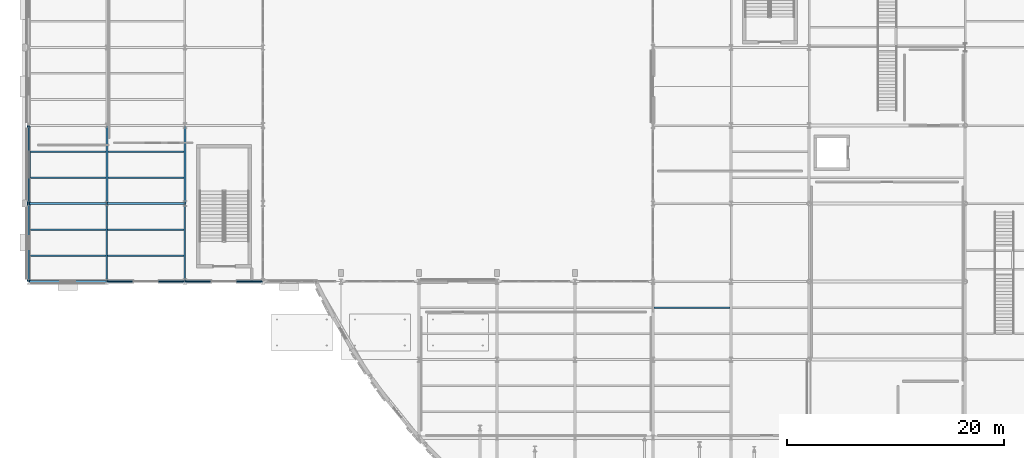
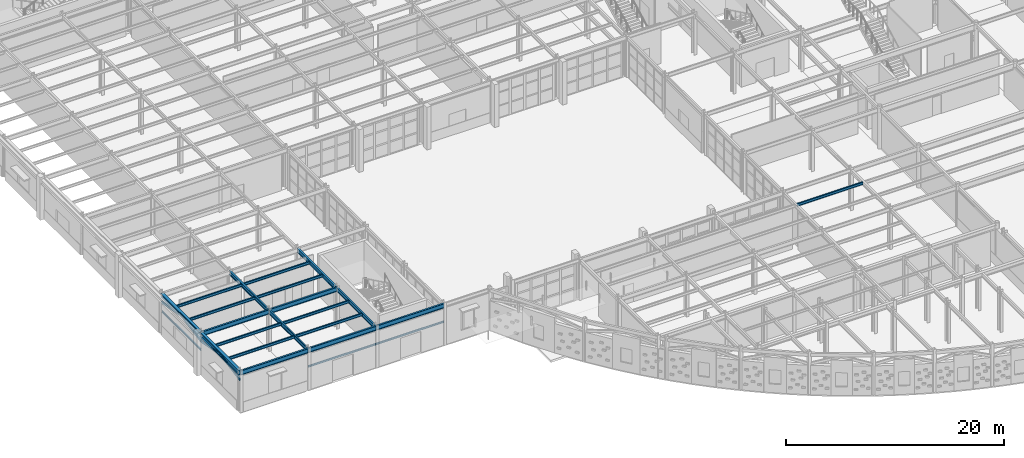
# One storey, part 18 of 83: 23 beams, 4 members.
"""IFC4 building model written with IfcOpenShell, lengths in metres."""

import ifcopenshell
import ifcopenshell.guid

model = None  # the IFC model being written
_history = None  # IfcOwnerHistory: only IFC2X3 demands one
_inside = {}  # id of a spatial element -> (the spatial element, [elements in it])
_under = {}  # id of a project, library or spatial element -> (it, [spatial elements below it])
_declared = {}  # id of a project -> (the project, [libraries it declares])
_typed = {}  # id of a type object -> (the type object, [elements of that type])
_made_of = {}  # id of a material, layer set ... -> (it, [elements and type objects made of it])


def new_model(schema):
    """Start an empty IFC model of exactly this schema.

    Asked for "IFC4X3", IfcOpenShell would pick the latest addendum, in which some entities
    have other attributes; the version numbers below select the first issue.
    IFC2X3 requires an IfcOwnerHistory on every rooted entity: one is made here for all.
    """
    global model, _history
    if schema == "IFC4X3":
        model = ifcopenshell.file(schema_version=(4, 3, 0, 0))
    else:
        model = ifcopenshell.file(schema=schema)
    _inside.clear()
    _under.clear()
    _declared.clear()
    _typed.clear()
    _made_of.clear()
    _history = None
    if model.schema == "IFC2X3":
        org = make("IfcOrganization", Name="unknown")
        user = make(
            "IfcPersonAndOrganization",
            ThePerson=make("IfcPerson", FamilyName="unknown"),
            TheOrganization=org,
        )
        app = make(
            "IfcApplication",
            ApplicationDeveloper=org,
            Version="unknown",
            ApplicationFullName="unknown",
            ApplicationIdentifier="unknown",
        )
        _history = make(
            "IfcOwnerHistory",
            OwningUser=user,
            OwningApplication=app,
            ChangeAction="ADDED",
            CreationDate=0,
        )
    return model


def make(cls, **values):
    """One entity of the class cls with the attributes given. An attribute that is None is left unset."""
    return model.create_entity(
        cls, **{name: value for name, value in values.items() if value is not None}
    )


def rooted(cls, **values):
    """An entity with a GlobalId (a new one), such as an element, a storey or a relation."""
    return make(cls, GlobalId=ifcopenshell.guid.new(), OwnerHistory=_history, **values)


def si_unit(unit_type, name, prefix=None):
    """IfcSIUnit, for example si_unit("LENGTHUNIT", "METRE", prefix="MILLI")."""
    return make("IfcSIUnit", UnitType=unit_type, Prefix=prefix, Name=name)


def assignment(units):
    """IfcUnitAssignment: the units of a project."""
    return None if units is None else make("IfcUnitAssignment", Units=units)


def point(xyz):
    """IfcCartesianPoint."""
    return None if xyz is None else make("IfcCartesianPoint", Coordinates=xyz)


def direction(xyz):
    """IfcDirection."""
    return None if xyz is None else make("IfcDirection", DirectionRatios=xyz)


def frame(location, z_axis=None, x_axis=None):
    """IfcAxis2Placement3D, a coordinate frame: its origin and axes. An axis left out is left unset."""
    return make(
        "IfcAxis2Placement3D",
        Location=point(location),
        Axis=direction(z_axis),
        RefDirection=direction(x_axis),
    )


def frame_2d(location, x_axis=None):
    """IfcAxis2Placement2D, a coordinate frame in the plane: its origin and x axis."""
    return make(
        "IfcAxis2Placement2D", Location=point(location), RefDirection=direction(x_axis)
    )


def origin():
    """The frame at (0, 0, 0) with its axes left unset."""
    return frame((0.0, 0.0, 0.0))


def origin_2d():
    """The frame at (0, 0) in the plane with its x axis left unset."""
    return frame_2d((0.0, 0.0))


def place(relative_to, where):
    """IfcLocalPlacement: puts the frame where relative to a parent placement (None: the world)."""
    return make(
        "IfcLocalPlacement", PlacementRelTo=relative_to, RelativePlacement=where
    )


def context(
    kind, dimensions, precision=None, world=None, true_north=None, identifier=None
):
    """IfcGeometricRepresentationContext, for example the 3D "Model" context."""
    return make(
        "IfcGeometricRepresentationContext",
        ContextIdentifier=identifier,
        ContextType=kind,
        CoordinateSpaceDimension=dimensions,
        Precision=precision,
        WorldCoordinateSystem=world,
        TrueNorth=true_north,
    )


def subcontext(parent, identifier, kind, view, scale=None):
    """IfcGeometricRepresentationSubContext, for example "Body" below "Model"."""
    return make(
        "IfcGeometricRepresentationSubContext",
        ContextIdentifier=identifier,
        ContextType=kind,
        ParentContext=parent,
        TargetScale=scale,
        TargetView=view,
    )


def project(units=None, contexts=None):
    """IfcProject with its units and contexts."""
    return rooted(
        "IfcProject",
        Name="project",
        RepresentationContexts=contexts,
        UnitsInContext=assignment(units),
    )


def spatial(cls, under=None, at=None, **own):
    """A site, building, storey or space (cls), placed at a placement, below another one or the project."""
    s = rooted(cls, ObjectPlacement=at, **own)
    if under is not None:
        _under.setdefault(under.id(), (under, []))[1].append(s)
    return s


def profile(cls, at=None, kind="AREA", **sizes):
    """A parametric profile (cls). Its sizes go by their IFC names, for example OverallWidth=200.0."""
    return make(cls, ProfileType=kind, Position=at, **sizes)


def hollow_rectangle(**sizes):
    """IfcRectangleHollowProfileDef."""
    return profile("IfcRectangleHollowProfileDef", **sizes)


def i_section(**sizes):
    """IfcIShapeProfileDef."""
    return profile("IfcIShapeProfileDef", **sizes)


def extrude(swept, where, along, depth):
    """IfcExtrudedAreaSolid: the profile swept, set in the frame where, extruded along a direction by depth."""
    return make(
        "IfcExtrudedAreaSolid",
        SweptArea=swept,
        Position=where,
        ExtrudedDirection=direction(along),
        Depth=depth,
    )


def shape(context_of_items, identifier, shape_type, items):
    """IfcShapeRepresentation: the items that make up one representation, for example the "Body"."""
    return make(
        "IfcShapeRepresentation",
        ContextOfItems=context_of_items,
        RepresentationIdentifier=identifier,
        RepresentationType=shape_type,
        Items=items,
    )


def material(Name=None, Category=None):
    """IfcMaterial."""
    return make("IfcMaterial", Name=Name, Category=Category)


def material_profile(
    of_material, cross_section, Name=None, Category=None, Priority=None
):
    """IfcMaterialProfile: a cross section and its material."""
    return make(
        "IfcMaterialProfile",
        Name=Name,
        Material=of_material,
        Profile=cross_section,
        Priority=Priority,
        Category=Category,
    )


def profile_set(profiles, Name=None, composite=None):
    """IfcMaterialProfileSet."""
    return make(
        "IfcMaterialProfileSet",
        Name=Name,
        MaterialProfiles=profiles,
        CompositeProfile=composite,
    )


def made_of(thing, what):
    """Note that an element or type object is made of a material, layer set ...; save() writes the relation."""
    if what is not None:
        _made_of.setdefault(what.id(), (what, []))[1].append(thing)
    return thing


def type_object(cls, material=None, **own):
    """A type object (cls), such as IfcWallType, which elements share."""
    return made_of(rooted(cls, **own), material)


def element(
    cls,
    number,
    at=None,
    inside=None,
    cuts=None,
    type_object=None,
    material=None,
    context=None,
    identifier="Body",
    shape_type=None,
    held_by="IfcProductDefinitionShape",
    body=None,
    shapes=None,
    **own,
):
    """One element of the class cls, such as IfcWall. Its Tag is "e" and its number.

    at: its placement. inside: the storey or other place that contains it. cuts: it is an
    opening in that element (IfcRelVoidsElement). A single representation is given by context,
    identifier, shape_type and body (its items); several are given by shapes. held_by: the class
    of the entity that holds the representations. save() writes the other relations.
    """
    e = rooted(cls, Tag="e%d" % number, ObjectPlacement=at, **own)
    if body is not None:
        shapes = [shape(context, identifier, shape_type, body)]
    if shapes is not None:
        e.Representation = make(held_by, Representations=shapes)
    if inside is not None:
        _inside.setdefault(inside.id(), (inside, []))[1].append(e)
    if cuts is not None:
        rooted(
            "IfcRelVoidsElement", RelatingBuildingElement=cuts, RelatedOpeningElement=e
        )
    if type_object is not None:
        _typed.setdefault(type_object.id(), (type_object, []))[1].append(e)
    return made_of(e, material)


def aggregate(whole, parts):
    """IfcRelAggregates: a whole, such as a stair, and the parts it consists of."""
    return rooted("IfcRelAggregates", RelatingObject=whole, RelatedObjects=parts)


def save(model, path):
    """Write the relations noted so far, then the file.

    IfcRelAggregates (storeys below a building ...), IfcRelContainedInSpatialStructure (elements
    in a storey), IfcRelDefinesByType, IfcRelAssociatesMaterial and IfcRelDeclares: one each for
    every whole, place, type object, material and project.
    """
    for whole, parts in _under.values():
        aggregate(whole, parts)
    for where, things in _inside.values():
        rooted(
            "IfcRelContainedInSpatialStructure",
            RelatedElements=things,
            RelatingStructure=where,
        )
    for kind, things in _typed.values():
        rooted("IfcRelDefinesByType", RelatedObjects=things, RelatingType=kind)
    for what, things in _made_of.values():
        rooted("IfcRelAssociatesMaterial", RelatedObjects=things, RelatingMaterial=what)
    for by, libraries in _declared.values():
        rooted("IfcRelDeclares", RelatingContext=by, RelatedDefinitions=libraries)
    model.write(path)


model = new_model("IFC4")

# Units and contexts
model_context = context("Model", 3, precision=1e-05, world=origin(), true_north=direction((0.0, 1.0)))
body_context = subcontext(model_context, "Body", "Model", "MODEL_VIEW")
ifc_project = project(units=[si_unit("LENGTHUNIT", "METRE"), si_unit("AREAUNIT", "SQUARE_METRE"), si_unit("VOLUMEUNIT", "CUBIC_METRE"), si_unit("PLANEANGLEUNIT", "RADIAN"), si_unit("MASSUNIT", "GRAM", prefix="KILO")], contexts=[model_context])

# Site, building, storey
site_placement = place(None, origin())
site = spatial("IfcSite", under=ifc_project, at=site_placement, CompositionType="ELEMENT")
building_placement = place(site_placement, origin())
building = spatial("IfcBuilding", under=site, at=building_placement, Name="Solvadek Multi-Sports Hall", CompositionType="ELEMENT")
storey_placement = place(building_placement, origin())
storey = spatial("IfcBuildingStorey", under=building, at=storey_placement, Name="L00", CompositionType="ELEMENT", Elevation=0.0)

# Members
ifc_material_1 = material(Name="Steel E350 (350 MPa)", Category="steel")
ifc_material_profile_1 = material_profile(ifc_material_1, hollow_rectangle(XDim=0.14990234375, YDim=0.25, WallThickness=0.010009765625, at=origin_2d()), Name="RHS 250x150x10")
ifc_profile_set_1 = profile_set([ifc_material_profile_1], Name="Steel E350 (350 MPa)")
member_type = type_object("IfcMemberType", Name="STR-ARC-RHS250", PredefinedType="USERDEFINED", material=ifc_profile_set_1)
for number, where, z_axis, x_axis, name in (
    (1, (0.0, 20.39990234375, 3.550048828125), (0.0, 0.983123357379, 0.182943882588), (-1.0, 0.0, 0.0), "L00 West Facade Pointed Ottoman Arch 1L"),
    (2, (0.0, 24.0, 4.219970703125), (0.0, 0.983123357379, -0.182943882588), (-1.0, 0.0, 0.0), "L00 West Facade Pointed Ottoman Arch 1R"),
):
    element("IfcMember", number, at=place(storey_placement, frame(where, z_axis=z_axis, x_axis=x_axis)), inside=storey, type_object=member_type, Name=name, ObjectType="ARCH_SEGMENT", PredefinedType="USERDEFINED", context=body_context, shape_type="SweptSolid", body=[
        extrude(hollow_rectangle(XDim=0.14990234375, YDim=0.25, WallThickness=0.010009765625, at=origin_2d()), origin(), (0.0, 0.0, 1.0), 3.661865234375),
    ])
member_1_placement = place(storey_placement, frame((0.0, 27.60009765625, 3.550048828125), z_axis=(0.0, 0.9831211258, 0.182955874479), x_axis=(-1.0, 0.0, 0.0)))
element("IfcMember", 3, at=member_1_placement, inside=storey, type_object=member_type, Name="L00 West Facade Pointed Ottoman Arch 2L", ObjectType="ARCH_SEGMENT", PredefinedType="USERDEFINED", context=body_context, shape_type="SweptSolid", body=[
    extrude(hollow_rectangle(XDim=0.14990234375, YDim=0.25, WallThickness=0.010009765625, at=origin_2d()), origin(), (0.0, 0.0, 1.0), 3.66162109375),
])
member_2_placement = place(storey_placement, frame((0.0, 31.199951171875, 4.219970703125), z_axis=(0.0, 0.983123357379, -0.182943882588), x_axis=(-1.0, 0.0, 0.0)))
element("IfcMember", 4, at=member_2_placement, inside=storey, type_object=member_type, Name="L00 West Facade Pointed Ottoman Arch 2R", ObjectType="ARCH_SEGMENT", PredefinedType="USERDEFINED", context=body_context, shape_type="SweptSolid", body=[
    extrude(hollow_rectangle(XDim=0.14990234375, YDim=0.25, WallThickness=0.010009765625, at=origin_2d()), origin(), (0.0, 0.0, 1.0), 3.661865234375),
])

# Beams
ifc_material_profile_2 = material_profile(ifc_material_1, i_section(OverallWidth=0.14990234375, OverallDepth=0.449951171875, WebThickness=0.009521484375, FlangeThickness=0.017333984375, at=origin_2d()), Name="ISMB 450")
ifc_profile_set_2 = profile_set([ifc_material_profile_2], Name="Steel E350 (350 MPa)")
beam_type_1 = type_object("IfcBeamType", Name="STR-BM-ISMB450", PredefinedType="BEAM", material=ifc_profile_set_2)
for number, where, z_axis, x_axis, name in (
    (5, (7.199951171875, 20.39990234375, 4.35498046875), (0.0, 1.0, 0.0), (-1.0, 0.0, 0.0), "L00 Girder B-09 #740"),
    (6, (14.39990234375, 20.39990234375, 4.35498046875), (0.0, 1.0, 0.0), (-1.0, 0.0, 0.0), "L00 Girder B-09 #752"),
):
    element("IfcBeam", number, at=place(storey_placement, frame(where, z_axis=z_axis, x_axis=x_axis)), inside=storey, type_object=beam_type_1, Name=name, PredefinedType="BEAM", context=body_context, shape_type="SweptSolid", body=[
        extrude(i_section(OverallWidth=0.14990234375, OverallDepth=0.449951171875, WebThickness=0.009521484375, FlangeThickness=0.017333984375, at=origin_2d()), origin(), (0.0, 0.0, 1.0), 7.2001953125),
    ])
ifc_material_profile_3 = material_profile(ifc_material_1, i_section(OverallWidth=0.179931640625, OverallDepth=0.5, WebThickness=0.01025390625, FlangeThickness=0.01708984375, at=origin_2d()), Name="ISMB 500")
ifc_profile_set_3 = profile_set([ifc_material_profile_3], Name="Steel E350 (350 MPa)")
beam_type_2 = type_object("IfcBeamType", Name="STR-BM-ISMB500", PredefinedType="BEAM", material=ifc_profile_set_3)
for number, where, z_axis, x_axis, name in (
    (7, (0.0, 20.39990234375, 4.330078125), (1.0, 0.0, 0.0), (0.0, 1.0, 0.0), "L00 Girder B-07 #556"),
    (8, (7.199951171875, 20.39990234375, 4.330078125), (1.0, 0.0, 0.0), (0.0, 1.0, 0.0), "L00 Girder B-07 #557"),
):
    element("IfcBeam", number, at=place(storey_placement, frame(where, z_axis=z_axis, x_axis=x_axis)), inside=storey, type_object=beam_type_2, Name=name, PredefinedType="BEAM", context=body_context, shape_type="SweptSolid", body=[
        extrude(i_section(OverallWidth=0.179931640625, OverallDepth=0.5, WebThickness=0.01025390625, FlangeThickness=0.01708984375, at=origin_2d()), origin(), (0.0, 0.0, 1.0), 7.199951171875),
    ])
beam_1_placement = place(storey_placement, frame((14.39990234375, 20.39990234375, 4.330078125), z_axis=(1.0, 0.0, 0.0), x_axis=(0.0, 1.0, 0.0)))
element("IfcBeam", 9, at=beam_1_placement, inside=storey, type_object=beam_type_2, Name="L00 Girder B-07 #558", PredefinedType="BEAM", context=body_context, shape_type="SweptSolid", body=[
    extrude(i_section(OverallWidth=0.179931640625, OverallDepth=0.5, WebThickness=0.01025390625, FlangeThickness=0.01708984375, at=origin_2d()), origin(), (0.0, 0.0, 1.0), 7.2001953125),
])
for number, where, z_axis, x_axis, name in (
    (10, (0.0, 27.60009765625, 4.330078125), (1.0, 0.0, 0.0), (0.0, 1.0, 0.0), "L00 Girder B-07 #568"),
    (11, (7.199951171875, 27.60009765625, 4.330078125), (1.0, 0.0, 0.0), (0.0, 1.0, 0.0), "L00 Girder B-07 #569"),
):
    element("IfcBeam", number, at=place(storey_placement, frame(where, z_axis=z_axis, x_axis=x_axis)), inside=storey, type_object=beam_type_2, Name=name, PredefinedType="BEAM", context=body_context, shape_type="SweptSolid", body=[
        extrude(i_section(OverallWidth=0.179931640625, OverallDepth=0.5, WebThickness=0.01025390625, FlangeThickness=0.01708984375, at=origin_2d()), origin(), (0.0, 0.0, 1.0), 7.199951171875),
    ])
ifc_material_profile_4 = material_profile(ifc_material_1, i_section(OverallWidth=0.18994140625, OverallDepth=0.449951171875, WebThickness=0.009521484375, FlangeThickness=0.0146484375, at=origin_2d()), Name="NPB 450")
ifc_profile_set_4 = profile_set([ifc_material_profile_4], Name="Steel E350 (350 MPa)")
beam_type_3 = type_object("IfcBeamType", Name="STR-BM-NPB450", PredefinedType="BEAM", material=ifc_profile_set_4)
for number, where, z_axis, x_axis, name in (
    (12, (7.199951171875, 27.60009765625, 4.35498046875), (0.0, 1.0, 0.0), (-1.0, 0.0, 0.0), "L00 Girder B-08 #741"),
    (13, (14.39990234375, 27.60009765625, 4.35498046875), (0.0, 1.0, 0.0), (-1.0, 0.0, 0.0), "L00 Girder B-08 #753"),
):
    element("IfcBeam", number, at=place(storey_placement, frame(where, z_axis=z_axis, x_axis=x_axis)), inside=storey, type_object=beam_type_3, Name=name, PredefinedType="BEAM", context=body_context, shape_type="SweptSolid", body=[
        extrude(i_section(OverallWidth=0.18994140625, OverallDepth=0.449951171875, WebThickness=0.009521484375, FlangeThickness=0.0146484375, at=origin_2d()), origin(), (0.0, 0.0, 1.0), 7.199951171875),
    ])
ifc_material_profile_5 = material_profile(ifc_material_1, i_section(OverallWidth=0.139892578125, OverallDepth=0.300048828125, WebThickness=0.0078125, FlangeThickness=0.01318359375, at=origin_2d()), Name="ISMB 300")
ifc_profile_set_5 = profile_set([ifc_material_profile_5], Name="Steel E350 (350 MPa)")
beam_type_4 = type_object("IfcBeamType", Name="STR-JST-ISMB300", PredefinedType="JOIST", material=ifc_profile_set_5)
beam_2_placement = place(storey_placement, frame((57.695068359375, 18.0, 4.429931640625), z_axis=(1.0, 0.0, 0.0), x_axis=(0.0, 1.0, 0.0)))
element("IfcBeam", 14, at=beam_2_placement, inside=storey, type_object=beam_type_4, Name="L00 Composite Joist J-03 #397", PredefinedType="JOIST", context=body_context, shape_type="SweptSolid", body=[
    extrude(i_section(OverallWidth=0.139892578125, OverallDepth=0.300048828125, WebThickness=0.0078125, FlangeThickness=0.01318359375, at=origin_2d()), origin(), (0.0, 0.0, 1.0), 7.010009765625),
])
for number, where, z_axis, x_axis, name in (
    (15, (0.14990234375, 22.800048828125, 4.429931640625), (1.0, 0.0, 0.0), (0.0, 1.0, 0.0), "L00 Composite Joist J-03 #402"),
    (16, (0.14990234375, 25.199951171875, 4.429931640625), (1.0, 0.0, 0.0), (0.0, 1.0, 0.0), "L00 Composite Joist J-03 #403"),
):
    element("IfcBeam", number, at=place(storey_placement, frame(where, z_axis=z_axis, x_axis=x_axis)), inside=storey, type_object=beam_type_4, Name=name, PredefinedType="JOIST", context=body_context, shape_type="SweptSolid", body=[
        extrude(i_section(OverallWidth=0.139892578125, OverallDepth=0.300048828125, WebThickness=0.0078125, FlangeThickness=0.01318359375, at=origin_2d()), origin(), (0.0, 0.0, 1.0), 6.97509765625),
    ])
for number, where, z_axis, x_axis, name in (
    (17, (7.27490234375, 22.800048828125, 4.429931640625), (1.0, 0.0, 0.0), (0.0, 1.0, 0.0), "L00 Composite Joist J-03 #404"),
    (18, (7.27490234375, 25.199951171875, 4.429931640625), (1.0, 0.0, 0.0), (0.0, 1.0, 0.0), "L00 Composite Joist J-03 #405"),
):
    element("IfcBeam", number, at=place(storey_placement, frame(where, z_axis=z_axis, x_axis=x_axis)), inside=storey, type_object=beam_type_4, Name=name, PredefinedType="JOIST", context=body_context, shape_type="SweptSolid", body=[
        extrude(i_section(OverallWidth=0.139892578125, OverallDepth=0.300048828125, WebThickness=0.0078125, FlangeThickness=0.01318359375, at=origin_2d()), origin(), (0.0, 0.0, 1.0), 7.050048828125),
    ])
for number, where, z_axis, x_axis, name in (
    (19, (0.14990234375, 30.0, 4.429931640625), (1.0, 0.0, 0.0), (0.0, 1.0, 0.0), "L00 Composite Joist J-03 #406"),
    (20, (0.14990234375, 32.39990234375, 4.429931640625), (1.0, 0.0, 0.0), (0.0, 1.0, 0.0), "L00 Composite Joist J-03 #407"),
):
    element("IfcBeam", number, at=place(storey_placement, frame(where, z_axis=z_axis, x_axis=x_axis)), inside=storey, type_object=beam_type_4, Name=name, PredefinedType="JOIST", context=body_context, shape_type="SweptSolid", body=[
        extrude(i_section(OverallWidth=0.139892578125, OverallDepth=0.300048828125, WebThickness=0.0078125, FlangeThickness=0.01318359375, at=origin_2d()), origin(), (0.0, 0.0, 1.0), 6.955078125),
    ])
for number, where, z_axis, x_axis, name in (
    (21, (7.294921875, 30.0, 4.429931640625), (1.0, 0.0, 0.0), (0.0, 1.0, 0.0), "L00 Composite Joist J-03 #408"),
    (22, (7.294921875, 32.39990234375, 4.429931640625), (1.0, 0.0, 0.0), (0.0, 1.0, 0.0), "L00 Composite Joist J-03 #409"),
):
    element("IfcBeam", number, at=place(storey_placement, frame(where, z_axis=z_axis, x_axis=x_axis)), inside=storey, type_object=beam_type_4, Name=name, PredefinedType="JOIST", context=body_context, shape_type="SweptSolid", body=[
        extrude(i_section(OverallWidth=0.139892578125, OverallDepth=0.300048828125, WebThickness=0.0078125, FlangeThickness=0.01318359375, at=origin_2d()), origin(), (0.0, 0.0, 1.0), 7.010009765625),
    ])
ifc_material_2 = material(Name="Steel E250 (250 MPa)", Category="steel")
ifc_material_profile_6 = material_profile(ifc_material_2, i_section(OverallWidth=0.10009765625, OverallDepth=0.199951171875, WebThickness=0.005615234375, FlangeThickness=0.0107421875, at=origin_2d()), Name="ISMB 200")
ifc_profile_set_6 = profile_set([ifc_material_profile_6], Name="Steel E250 (250 MPa)")
beam_type_5 = type_object("IfcBeamType", Name="STR-LIN-ISMB200", PredefinedType="LINTEL", material=ifc_profile_set_6)
for number, where, z_axis, x_axis, name in (
    (23, (0.0, 27.60009765625, 2.52001953125), (0.0, 1.0, 0.0), (-1.0, 0.0, 0.0), "L00 Opening Lintel #2"),
    (24, (7.199951171875, 20.39990234375, 2.52001953125), (1.0, 0.0, 0.0), (0.0, 1.0, 0.0), "L00 Opening Lintel #10"),
):
    element("IfcBeam", number, at=place(storey_placement, frame(where, z_axis=z_axis, x_axis=x_axis)), inside=storey, type_object=beam_type_5, Name=name, PredefinedType="LINTEL", context=body_context, shape_type="SweptSolid", body=[
        extrude(i_section(OverallWidth=0.10009765625, OverallDepth=0.199951171875, WebThickness=0.005615234375, FlangeThickness=0.0107421875, at=origin_2d()), origin(), (0.0, 0.0, 1.0), 7.199951171875),
    ])
beam_3_placement = place(storey_placement, frame((14.39990234375, 20.39990234375, 2.52001953125), z_axis=(1.0, 0.0, 0.0), x_axis=(0.0, 1.0, 0.0)))
element("IfcBeam", 25, at=beam_3_placement, inside=storey, type_object=beam_type_5, Name="L00 Opening Lintel #11", PredefinedType="LINTEL", context=body_context, shape_type="SweptSolid", body=[
    extrude(i_section(OverallWidth=0.10009765625, OverallDepth=0.199951171875, WebThickness=0.005615234375, FlangeThickness=0.0107421875, at=origin_2d()), origin(), (0.0, 0.0, 1.0), 7.2001953125),
])
ifc_material_profile_7 = material_profile(ifc_material_1, i_section(OverallWidth=0.300048828125, OverallDepth=0.39990234375, WebThickness=0.013427734375, FlangeThickness=0.02392578125, at=origin_2d()), Name="WPB 400")
ifc_profile_set_7 = profile_set([ifc_material_profile_7], Name="Steel E350 (350 MPa)")
beam_type_6 = type_object("IfcBeamType", Name="STR-SPN-WPB400", PredefinedType="SPANDREL", material=ifc_profile_set_7)
beam_4_placement = place(storey_placement, frame((0.0, 27.60009765625, 4.3798828125), z_axis=(0.0, 1.0, 0.0), x_axis=(-1.0, 0.0, 0.0)))
element("IfcBeam", 26, at=beam_4_placement, inside=storey, type_object=beam_type_6, Name="L00 Girder SP-02 #729", PredefinedType="SPANDREL", context=body_context, shape_type="SweptSolid", body=[
    extrude(i_section(OverallWidth=0.300048828125, OverallDepth=0.39990234375, WebThickness=0.013427734375, FlangeThickness=0.02392578125, at=origin_2d()), origin(), (0.0, 0.0, 1.0), 7.199951171875),
])
ifc_material_profile_8 = material_profile(ifc_material_1, i_section(OverallWidth=0.300048828125, OverallDepth=0.5, WebThickness=0.014404296875, FlangeThickness=0.028076171875, at=origin_2d()), Name="WPB 500")
ifc_profile_set_8 = profile_set([ifc_material_profile_8], Name="Steel E350 (350 MPa)")
beam_type_7 = type_object("IfcBeamType", Name="STR-SPN-WPB500", PredefinedType="SPANDREL", material=ifc_profile_set_8)
beam_5_placement = place(storey_placement, frame((0.0, 20.39990234375, 4.330078125), z_axis=(0.0, 1.0, 0.0), x_axis=(-1.0, 0.0, 0.0)))
element("IfcBeam", 27, at=beam_5_placement, inside=storey, type_object=beam_type_7, Name="L00 Girder SP-01 #728", PredefinedType="SPANDREL", context=body_context, shape_type="SweptSolid", body=[
    extrude(i_section(OverallWidth=0.300048828125, OverallDepth=0.5, WebThickness=0.014404296875, FlangeThickness=0.028076171875, at=origin_2d()), origin(), (0.0, 0.0, 1.0), 7.2001953125),
])

save(model, "model.ifc")
